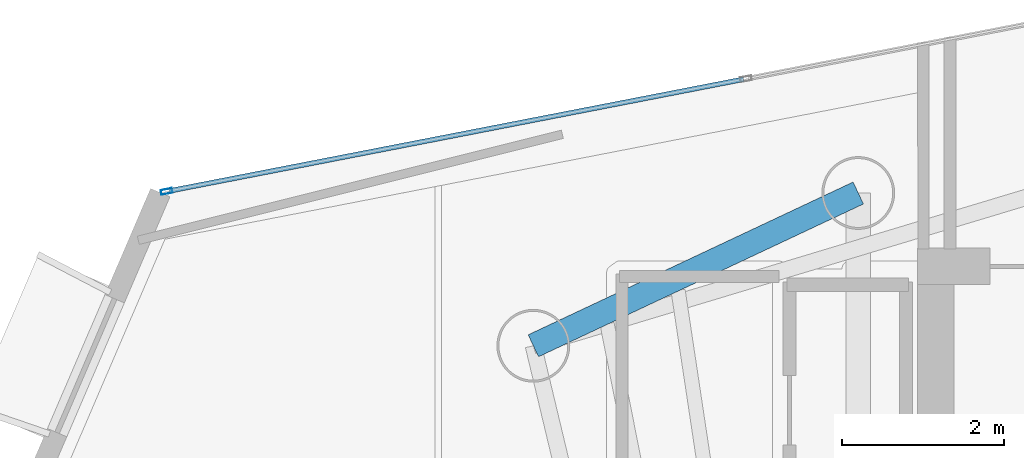
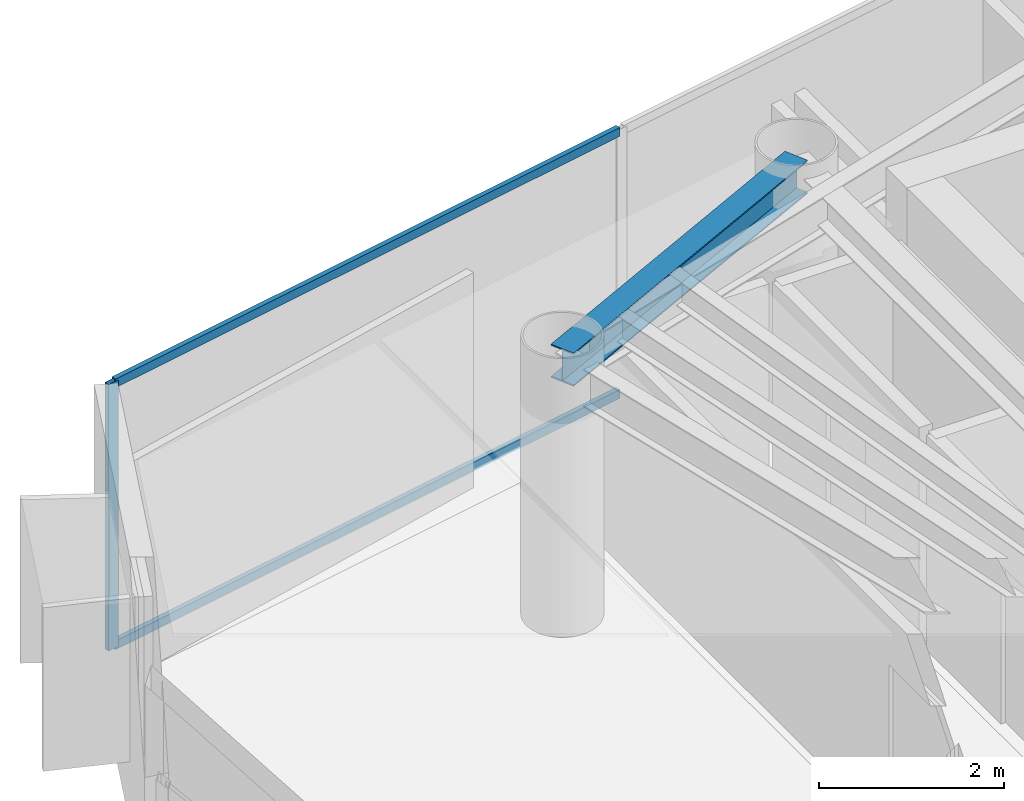
# One storey, part 9 of 22: 3 members, 1 beam, 1 element without a shape of its own.
"""IFC4 building model written with IfcOpenShell, lengths in metres."""

from ifc_helpers import new_model, si_unit, direction, frame, origin, origin_2d, place, context, subcontext, project, spatial, hollow_rectangle, i_section, extrude, material, layer, layer_set, material_profile, profile_set, type_object, element, aggregate, save


model = new_model("IFC4")

# Units and contexts
model_context = context("Model", 3, precision=1e-05, world=origin(), true_north=direction((0.0, 1.0)))
body_context = subcontext(model_context, "Body", "Model", "MODEL_VIEW")
ifc_project = project(units=[si_unit("LENGTHUNIT", "METRE"), si_unit("AREAUNIT", "SQUARE_METRE"), si_unit("VOLUMEUNIT", "CUBIC_METRE"), si_unit("PLANEANGLEUNIT", "RADIAN"), si_unit("MASSUNIT", "GRAM", prefix="KILO")], contexts=[model_context])

# Site, building, storey
site_placement = place(None, origin())
site = spatial("IfcSite", under=ifc_project, at=site_placement, CompositionType="ELEMENT")
building_placement = place(site_placement, origin())
building = spatial("IfcBuilding", under=site, at=building_placement, Name="Qianvela Tower", CompositionType="ELEMENT")
storey_placement = place(building_placement, frame((0.0, 0.0, 299.10009765625)))
storey = spatial("IfcBuildingStorey", under=building, at=storey_placement, Name="L77", CompositionType="ELEMENT", Elevation=299.10009765625)

# Beam
ifc_material_1 = material(Name="Steel Q355B", Category="steel")
ifc_material_profile_1 = material_profile(ifc_material_1, i_section(OverallWidth=0.300048828125, OverallDepth=0.43994140625, WebThickness=0.010986328125, FlangeThickness=0.01806640625, at=origin_2d()), Name="HM440x300x11x18")
ifc_profile_set_1 = profile_set([ifc_material_profile_1], Name="Steel Q355B")
beam_type = type_object("IfcBeamType", Name="BM-HM440-COLL", PredefinedType="BEAM", material=ifc_profile_set_1)
beam_placement = place(storey_placement, frame((28.60009765625, 33.550048828125, 3.2978515625), z_axis=(-0.904957143986, -0.425502723316, 0.0), x_axis=(0.425502723316, -0.904957143986, 0.0)))
element("IfcBeam", 1, at=beam_placement, inside=storey, type_object=beam_type, Name="L77 Radial Primary Floor Girder 3", PredefinedType="BEAM", context=body_context, shape_type="SweptSolid", body=[
    extrude(i_section(OverallWidth=0.300048828125, OverallDepth=0.43994140625, WebThickness=0.010986328125, FlangeThickness=0.01806640625, at=origin_2d()), origin(), (0.0, 0.0, 1.0), 4.4345703125),
])

# Curtain wall, members
ifc_material_2 = material(Name="Anodised Architectural Aluminium and Low-E Glass", Category="aluminium")
ifc_layer = layer(ifc_material_2, 0.14990234375)
ifc_layer_set = layer_set([ifc_layer], Name="Anodised Architectural Aluminium and Low-E Glass")
curtain_wall_type = type_object("IfcCurtainWallType", Name="CW-COLIV-Z78", PredefinedType="USERDEFINED", material=ifc_layer_set)
curtain_wall_placement = place(storey_placement, origin())
curtain_wall = element("IfcCurtainWall", 2, at=curtain_wall_placement, inside=storey, type_object=curtain_wall_type, Name="L77 CW-COLIV-Z78 Curtain Wall 02C", ObjectType="CURTAIN_WALL_SYSTEM", PredefinedType="USERDEFINED")
ifc_material_3 = material(Name="Anodised Architectural Aluminium 6063-T6", Category="aluminium")
ifc_material_profile_2 = material_profile(ifc_material_3, hollow_rectangle(XDim=0.06005859375, YDim=0.139892578125, WallThickness=0.00439453125, at=origin_2d()), Name="ALU-MULL-60x140")
ifc_profile_set_2 = profile_set([ifc_material_profile_2], Name="Anodised Architectural Aluminium 6063-T6")
member_type_1 = type_object("IfcMemberType", Name="CW-COLIV-Z78-MULL", PredefinedType="MULLION", material=ifc_profile_set_2)
member_1_placement = place(storey_placement, frame((20.057373046875, 33.5693359375, 0.0), z_axis=(0.0, 0.0, 1.0), x_axis=(0.190932552207, -0.981603158363, 0.0)))
member_1 = element("IfcMember", 3, at=member_1_placement, type_object=member_type_1, Name="CW-6 mullion 3", PredefinedType="MULLION", context=body_context, shape_type="SweptSolid", body=[
    extrude(hollow_rectangle(XDim=0.06005859375, YDim=0.139892578125, WallThickness=0.00439453125, at=origin_2d()), origin(), (0.0, 0.0, 1.0), 3.52001953125),
])
ifc_material_4 = material(Name="Anodised Architectural Aluminium 6063-T6", Category="aluminium")
ifc_material_profile_3 = material_profile(ifc_material_4, hollow_rectangle(XDim=0.06005859375, YDim=0.114990234375, WallThickness=0.00390625, at=origin_2d()), Name="ALU-TRAN-60x115")
ifc_profile_set_3 = profile_set([ifc_material_profile_3], Name="Anodised Architectural Aluminium 6063-T6")
member_type_2 = type_object("IfcMemberType", Name="CW-COLIV-Z78-TRAN", PredefinedType="USERDEFINED", material=ifc_profile_set_3)
member_2_placement = place(storey_placement, frame((27.183837890625, 34.95556640625, 0.02978515625), z_axis=(-0.981598338626, -0.190957329283, 0.0), x_axis=(0.190957329283, -0.981598338626, 0.0)))
member_2 = element("IfcMember", 4, at=member_2_placement, type_object=member_type_2, Name="CW-6 transom 2.1", ObjectType="TRANSOM", PredefinedType="USERDEFINED", context=body_context, shape_type="SweptSolid", body=[
    extrude(hollow_rectangle(XDim=0.06005859375, YDim=0.114990234375, WallThickness=0.00390625, at=origin_2d()), origin(), (0.0, 0.0, 1.0), 7.22998046875),
])
member_3_placement = place(storey_placement, frame((27.183837890625, 34.95556640625, 3.489990234375), z_axis=(-0.981598338626, -0.190957329283, 0.0), x_axis=(0.190957329283, -0.981598338626, 0.0)))
member_3 = element("IfcMember", 5, at=member_3_placement, type_object=member_type_2, Name="CW-6 transom 2.2", ObjectType="TRANSOM", PredefinedType="USERDEFINED", context=body_context, shape_type="SweptSolid", body=[
    extrude(hollow_rectangle(XDim=0.06005859375, YDim=0.114990234375, WallThickness=0.00390625, at=origin_2d()), origin(), (0.0, 0.0, 1.0), 7.22998046875),
])
aggregate(curtain_wall, [member_1, member_2, member_3])

save(model, "model.ifc")
